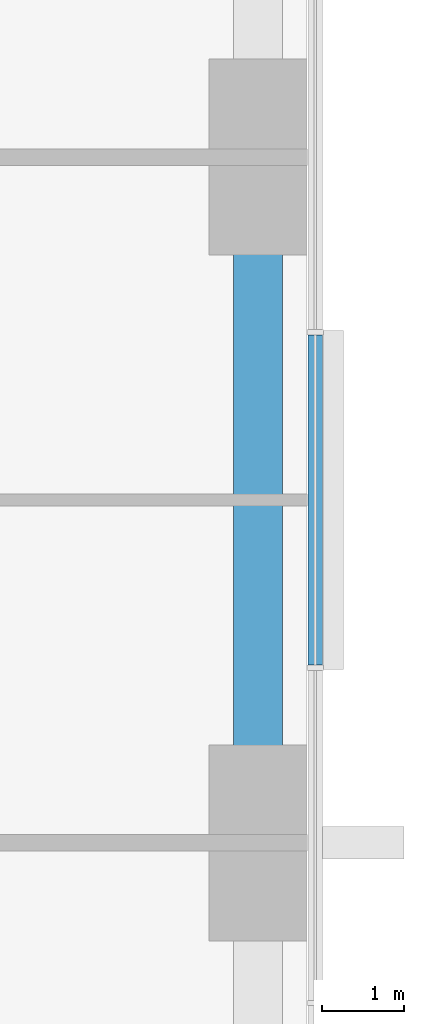
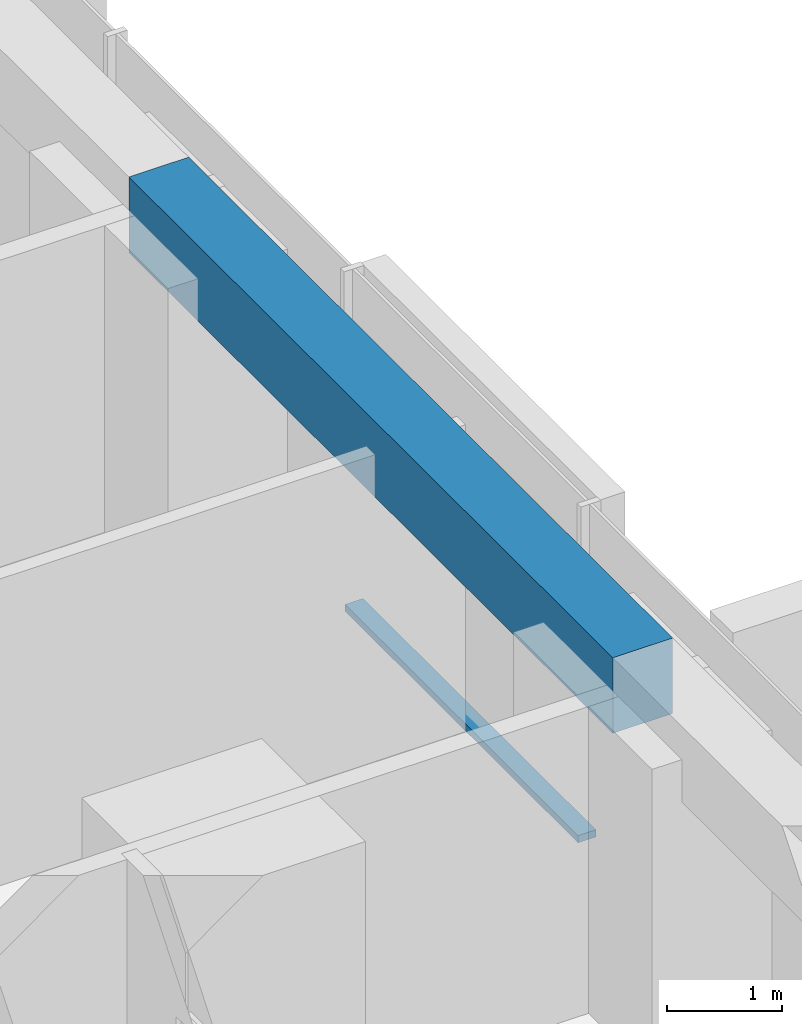
# One storey, part 5 of 17: 1 beam, 1 member, 1 element without a shape of its own.
"""IFC4 building model written with IfcOpenShell, lengths in metres."""

import ifcopenshell
import ifcopenshell.guid

model = None  # the IFC model being written
_history = None  # IfcOwnerHistory: only IFC2X3 demands one
_inside = {}  # id of a spatial element -> (the spatial element, [elements in it])
_under = {}  # id of a project, library or spatial element -> (it, [spatial elements below it])
_declared = {}  # id of a project -> (the project, [libraries it declares])
_typed = {}  # id of a type object -> (the type object, [elements of that type])
_made_of = {}  # id of a material, layer set ... -> (it, [elements and type objects made of it])


def new_model(schema):
    """Start an empty IFC model of exactly this schema.

    Asked for "IFC4X3", IfcOpenShell would pick the latest addendum, in which some entities
    have other attributes; the version numbers below select the first issue.
    IFC2X3 requires an IfcOwnerHistory on every rooted entity: one is made here for all.
    """
    global model, _history
    if schema == "IFC4X3":
        model = ifcopenshell.file(schema_version=(4, 3, 0, 0))
    else:
        model = ifcopenshell.file(schema=schema)
    _inside.clear()
    _under.clear()
    _declared.clear()
    _typed.clear()
    _made_of.clear()
    _history = None
    if model.schema == "IFC2X3":
        org = make("IfcOrganization", Name="unknown")
        user = make(
            "IfcPersonAndOrganization",
            ThePerson=make("IfcPerson", FamilyName="unknown"),
            TheOrganization=org,
        )
        app = make(
            "IfcApplication",
            ApplicationDeveloper=org,
            Version="unknown",
            ApplicationFullName="unknown",
            ApplicationIdentifier="unknown",
        )
        _history = make(
            "IfcOwnerHistory",
            OwningUser=user,
            OwningApplication=app,
            ChangeAction="ADDED",
            CreationDate=0,
        )
    return model


def make(cls, **values):
    """One entity of the class cls with the attributes given. An attribute that is None is left unset."""
    return model.create_entity(
        cls, **{name: value for name, value in values.items() if value is not None}
    )


def rooted(cls, **values):
    """An entity with a GlobalId (a new one), such as an element, a storey or a relation."""
    return make(cls, GlobalId=ifcopenshell.guid.new(), OwnerHistory=_history, **values)


def si_unit(unit_type, name, prefix=None):
    """IfcSIUnit, for example si_unit("LENGTHUNIT", "METRE", prefix="MILLI")."""
    return make("IfcSIUnit", UnitType=unit_type, Prefix=prefix, Name=name)


def assignment(units):
    """IfcUnitAssignment: the units of a project."""
    return None if units is None else make("IfcUnitAssignment", Units=units)


def point(xyz):
    """IfcCartesianPoint."""
    return None if xyz is None else make("IfcCartesianPoint", Coordinates=xyz)


def direction(xyz):
    """IfcDirection."""
    return None if xyz is None else make("IfcDirection", DirectionRatios=xyz)


def frame(location, z_axis=None, x_axis=None):
    """IfcAxis2Placement3D, a coordinate frame: its origin and axes. An axis left out is left unset."""
    return make(
        "IfcAxis2Placement3D",
        Location=point(location),
        Axis=direction(z_axis),
        RefDirection=direction(x_axis),
    )


def frame_2d(location, x_axis=None):
    """IfcAxis2Placement2D, a coordinate frame in the plane: its origin and x axis."""
    return make(
        "IfcAxis2Placement2D", Location=point(location), RefDirection=direction(x_axis)
    )


def origin():
    """The frame at (0, 0, 0) with its axes left unset."""
    return frame((0.0, 0.0, 0.0))


def origin_2d():
    """The frame at (0, 0) in the plane with its x axis left unset."""
    return frame_2d((0.0, 0.0))


def place(relative_to, where):
    """IfcLocalPlacement: puts the frame where relative to a parent placement (None: the world)."""
    return make(
        "IfcLocalPlacement", PlacementRelTo=relative_to, RelativePlacement=where
    )


def context(
    kind, dimensions, precision=None, world=None, true_north=None, identifier=None
):
    """IfcGeometricRepresentationContext, for example the 3D "Model" context."""
    return make(
        "IfcGeometricRepresentationContext",
        ContextIdentifier=identifier,
        ContextType=kind,
        CoordinateSpaceDimension=dimensions,
        Precision=precision,
        WorldCoordinateSystem=world,
        TrueNorth=true_north,
    )


def subcontext(parent, identifier, kind, view, scale=None):
    """IfcGeometricRepresentationSubContext, for example "Body" below "Model"."""
    return make(
        "IfcGeometricRepresentationSubContext",
        ContextIdentifier=identifier,
        ContextType=kind,
        ParentContext=parent,
        TargetScale=scale,
        TargetView=view,
    )


def project(units=None, contexts=None):
    """IfcProject with its units and contexts."""
    return rooted(
        "IfcProject",
        Name="project",
        RepresentationContexts=contexts,
        UnitsInContext=assignment(units),
    )


def spatial(cls, under=None, at=None, **own):
    """A site, building, storey or space (cls), placed at a placement, below another one or the project."""
    s = rooted(cls, ObjectPlacement=at, **own)
    if under is not None:
        _under.setdefault(under.id(), (under, []))[1].append(s)
    return s


def profile(cls, at=None, kind="AREA", **sizes):
    """A parametric profile (cls). Its sizes go by their IFC names, for example OverallWidth=200.0."""
    return make(cls, ProfileType=kind, Position=at, **sizes)


def rectangle(**sizes):
    """IfcRectangleProfileDef."""
    return profile("IfcRectangleProfileDef", **sizes)


def extrude(swept, where, along, depth):
    """IfcExtrudedAreaSolid: the profile swept, set in the frame where, extruded along a direction by depth."""
    return make(
        "IfcExtrudedAreaSolid",
        SweptArea=swept,
        Position=where,
        ExtrudedDirection=direction(along),
        Depth=depth,
    )


def shape(context_of_items, identifier, shape_type, items):
    """IfcShapeRepresentation: the items that make up one representation, for example the "Body"."""
    return make(
        "IfcShapeRepresentation",
        ContextOfItems=context_of_items,
        RepresentationIdentifier=identifier,
        RepresentationType=shape_type,
        Items=items,
    )


def material(Name=None, Category=None):
    """IfcMaterial."""
    return make("IfcMaterial", Name=Name, Category=Category)


def material_profile(
    of_material, cross_section, Name=None, Category=None, Priority=None
):
    """IfcMaterialProfile: a cross section and its material."""
    return make(
        "IfcMaterialProfile",
        Name=Name,
        Material=of_material,
        Profile=cross_section,
        Priority=Priority,
        Category=Category,
    )


def profile_set(profiles, Name=None, composite=None):
    """IfcMaterialProfileSet."""
    return make(
        "IfcMaterialProfileSet",
        Name=Name,
        MaterialProfiles=profiles,
        CompositeProfile=composite,
    )


def made_of(thing, what):
    """Note that an element or type object is made of a material, layer set ...; save() writes the relation."""
    if what is not None:
        _made_of.setdefault(what.id(), (what, []))[1].append(thing)
    return thing


def type_object(cls, material=None, **own):
    """A type object (cls), such as IfcWallType, which elements share."""
    return made_of(rooted(cls, **own), material)


def element(
    cls,
    number,
    at=None,
    inside=None,
    cuts=None,
    type_object=None,
    material=None,
    context=None,
    identifier="Body",
    shape_type=None,
    held_by="IfcProductDefinitionShape",
    body=None,
    shapes=None,
    **own,
):
    """One element of the class cls, such as IfcWall. Its Tag is "e" and its number.

    at: its placement. inside: the storey or other place that contains it. cuts: it is an
    opening in that element (IfcRelVoidsElement). A single representation is given by context,
    identifier, shape_type and body (its items); several are given by shapes. held_by: the class
    of the entity that holds the representations. save() writes the other relations.
    """
    e = rooted(cls, Tag="e%d" % number, ObjectPlacement=at, **own)
    if body is not None:
        shapes = [shape(context, identifier, shape_type, body)]
    if shapes is not None:
        e.Representation = make(held_by, Representations=shapes)
    if inside is not None:
        _inside.setdefault(inside.id(), (inside, []))[1].append(e)
    if cuts is not None:
        rooted(
            "IfcRelVoidsElement", RelatingBuildingElement=cuts, RelatedOpeningElement=e
        )
    if type_object is not None:
        _typed.setdefault(type_object.id(), (type_object, []))[1].append(e)
    return made_of(e, material)


def aggregate(whole, parts):
    """IfcRelAggregates: a whole, such as a stair, and the parts it consists of."""
    return rooted("IfcRelAggregates", RelatingObject=whole, RelatedObjects=parts)


def save(model, path):
    """Write the relations noted so far, then the file.

    IfcRelAggregates (storeys below a building ...), IfcRelContainedInSpatialStructure (elements
    in a storey), IfcRelDefinesByType, IfcRelAssociatesMaterial and IfcRelDeclares: one each for
    every whole, place, type object, material and project.
    """
    for whole, parts in _under.values():
        aggregate(whole, parts)
    for where, things in _inside.values():
        rooted(
            "IfcRelContainedInSpatialStructure",
            RelatedElements=things,
            RelatingStructure=where,
        )
    for kind, things in _typed.values():
        rooted("IfcRelDefinesByType", RelatedObjects=things, RelatingType=kind)
    for what, things in _made_of.values():
        rooted("IfcRelAssociatesMaterial", RelatedObjects=things, RelatingMaterial=what)
    for by, libraries in _declared.values():
        rooted("IfcRelDeclares", RelatingContext=by, RelatedDefinitions=libraries)
    model.write(path)


model = new_model("IFC4")

# Units and contexts
model_context = context("Model", 3, precision=1e-05, world=origin(), true_north=direction((0.0, 1.0)))
body_context = subcontext(model_context, "Body", "Model", "MODEL_VIEW")
ifc_project = project(units=[si_unit("LENGTHUNIT", "METRE"), si_unit("AREAUNIT", "SQUARE_METRE"), si_unit("VOLUMEUNIT", "CUBIC_METRE"), si_unit("PLANEANGLEUNIT", "RADIAN"), si_unit("MASSUNIT", "GRAM", prefix="KILO")], contexts=[model_context])

# Site, building, storey
site_placement = place(None, origin())
site = spatial("IfcSite", under=ifc_project, at=site_placement, CompositionType="ELEMENT")
building_placement = place(site_placement, origin())
building = spatial("IfcBuilding", under=site, at=building_placement, Name="Dunama Terrace Hotel", CompositionType="ELEMENT")
storey_placement = place(building_placement, frame((0.0, 0.0, 59.39990234375)))
storey = spatial("IfcBuildingStorey", under=building, at=storey_placement, Name="L14", CompositionType="ELEMENT", Elevation=59.39990234375)

# Curtain wall, member
ifc_material_1 = material(Name="Aluminium curtain wall system", Category="aluminium")
curtain_wall_type = type_object("IfcCurtainWallType", Name="Unitised fritted glass wall CW-A", PredefinedType="NOTDEFINED", material=ifc_material_1)
curtain_wall_placement = place(storey_placement, origin())
curtain_wall = element("IfcCurtainWall", 1, at=curtain_wall_placement, inside=storey, type_object=curtain_wall_type, Name="Unitised fritted glass wall CW-A L14", PredefinedType="NOTDEFINED")
ifc_material_2 = material(Name="Aluminium transom", Category="aluminium")
ifc_material_profile_1 = material_profile(ifc_material_2, rectangle(XDim=0.179931640625, YDim=0.074951171875, at=origin_2d()), Name="CWA TRANSOM 180X75")
ifc_profile_set_1 = profile_set([ifc_material_profile_1], Name="Aluminium transom")
member_type = type_object("IfcMemberType", Name="CWA transom 180x75", PredefinedType="USERDEFINED", material=ifc_profile_set_1)
member_placement = place(storey_placement, frame((58.89990234375, 27.37890625, 0.03759765625), z_axis=(0.0, 1.0, 0.0), x_axis=(-1.0, 0.0, 0.0)))
member = element("IfcMember", 2, at=member_placement, type_object=member_type, Name="CWA transom", ObjectType="TRANSOM", PredefinedType="USERDEFINED", context=body_context, shape_type="SweptSolid", body=[
    extrude(rectangle(XDim=0.179931640625, YDim=0.074951171875, at=origin_2d()), origin(), (0.0, 0.0, 1.0), 4.0419921875),
])
aggregate(curtain_wall, [member])

# Beam
ifc_material_3 = material(Name="Concrete C40/50", Category="concrete")
ifc_material_profile_2 = material_profile(ifc_material_3, rectangle(XDim=0.60009765625, YDim=0.800048828125, at=origin_2d()), Name="RC 600x800")
ifc_profile_set_2 = profile_set([ifc_material_profile_2], Name="Concrete C40/50")
beam_type = type_object("IfcBeamType", Name="Edge beam RC 600x800", PredefinedType="SPANDREL", material=ifc_profile_set_2)
beam_placement = place(storey_placement, frame((58.199951171875, 25.199951171875, 3.2001953125), z_axis=(0.0, 1.0, 0.0), x_axis=(-1.0, 0.0, 0.0)))
element("IfcBeam", 3, at=beam_placement, inside=storey, type_object=beam_type, Name="Edge beam under L15", PredefinedType="SPANDREL", context=body_context, shape_type="SweptSolid", body=[
    extrude(rectangle(XDim=0.60009765625, YDim=0.800048828125, at=origin_2d()), origin(), (0.0, 0.0, 1.0), 8.400146484375),
])

save(model, "model.ifc")
